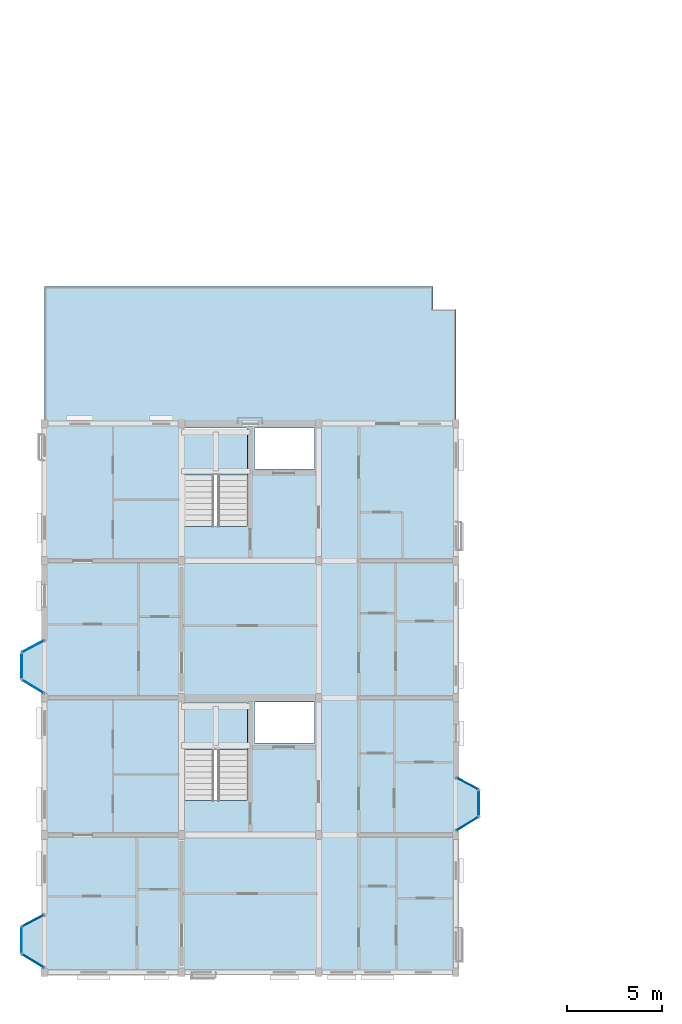
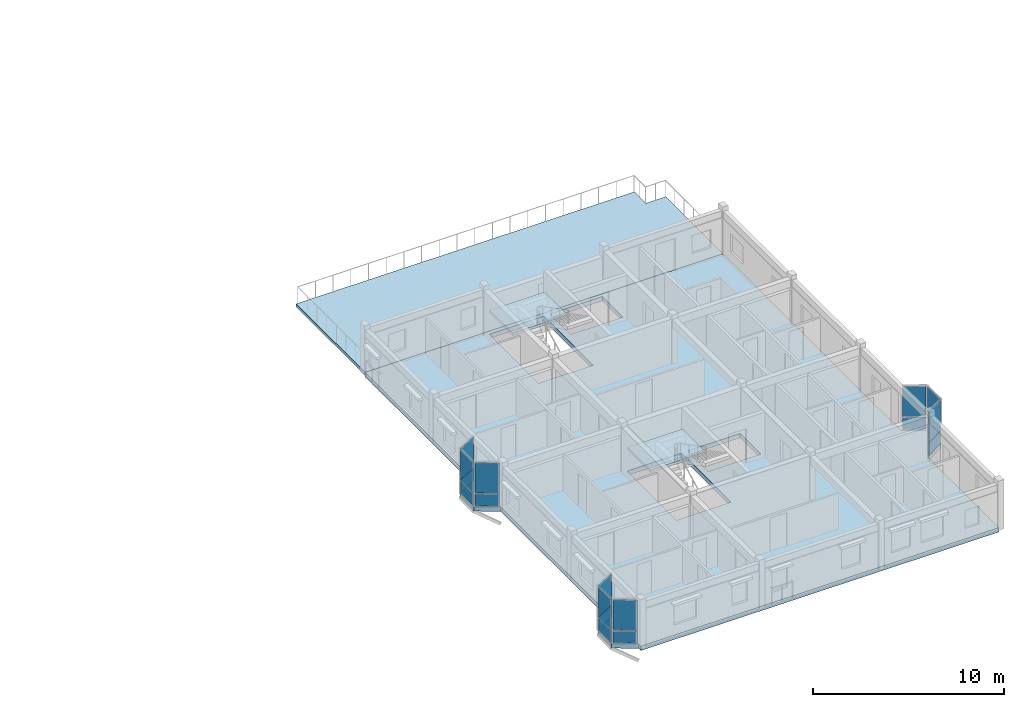
# One storey, part 14 of 22: 18 plates, 4 slabs, 11 elements without a shape of their own.
"""IFC4 building model written with IfcOpenShell, lengths in metres."""

from ifc_helpers import new_model, si_unit, direction, frame, origin, origin_2d, place, context, subcontext, project, spatial, polyline, rectangle, outline, extrude, material, layer, layer_set, type_object, element, aggregate, save


model = new_model("IFC4")

# Units and contexts
model_context = context("Model", 3, precision=1e-05, world=origin(), true_north=direction((0.0, 1.0)))
body_context = subcontext(model_context, "Body", "Model", "MODEL_VIEW")
ifc_project = project(units=[si_unit("LENGTHUNIT", "METRE"), si_unit("AREAUNIT", "SQUARE_METRE"), si_unit("VOLUMEUNIT", "CUBIC_METRE"), si_unit("PLANEANGLEUNIT", "RADIAN"), si_unit("MASSUNIT", "GRAM", prefix="KILO"), si_unit("THERMODYNAMICTEMPERATUREUNIT", "KELVIN"), si_unit("POWERUNIT", "WATT")], contexts=[model_context])

# Site, building, storey
site_placement = place(None, origin())
site = spatial("IfcSite", under=ifc_project, at=site_placement, CompositionType="ELEMENT")
building_placement = place(site_placement, origin())
building = spatial("IfcBuilding", under=site, at=building_placement, Name="Tavuni Mirador Residences", CompositionType="ELEMENT")
storey_placement = place(building_placement, frame((0.0, 0.0, 45.449951171875)))
storey = spatial("IfcBuildingStorey", under=building, at=storey_placement, Name="L14", CompositionType="ELEMENT", Elevation=45.449951171875)

# Curtain wall, plate
ifc_material_1 = material(Name="Anodised aluminium", Category="aluminium")
ifc_layer_1 = layer(ifc_material_1, 0.1650390625, Name="Anodised aluminium", Category="aluminium")
ifc_layer_set_1 = layer_set([ifc_layer_1], Name="Anodised aluminium")
curtain_wall_type_1 = type_object("IfcCurtainWallType", Name="CWT-MIR-A", PredefinedType="NOTDEFINED", material=ifc_layer_set_1)
curtain_wall_1_placement = place(storey_placement, origin())
curtain_wall_1 = element("IfcCurtainWall", 1, at=curtain_wall_1_placement, inside=storey, type_object=curtain_wall_type_1, Name="CW-MIR-A-EU-L14-MF", PredefinedType="NOTDEFINED")
ifc_material_2 = material(Name="Laminated solar-control glass", Category="glass")
ifc_layer_2 = layer(ifc_material_2, 0.02392578125, Name="Laminated solar-control glass", Category="glass")
ifc_layer_set_2 = layer_set([ifc_layer_2], Name="Laminated solar-control glass")
plate_type_1 = type_object("IfcPlateType", Name="CWP-GL24", PredefinedType="CURTAIN_PANEL", material=ifc_layer_set_2)
plate_1_placement = place(storey_placement, frame((26.39990234375, 16.070068359375, 0.8798828125), z_axis=(0.0, 0.0, 1.0), x_axis=(0.0, 1.0, 0.0)))
plate_1 = element("IfcPlate", 2, at=plate_1_placement, type_object=plate_type_1, Name="CW-01 panel 1.2", PredefinedType="CURTAIN_PANEL", context=body_context, shape_type="SweptSolid", body=[
    extrude(rectangle(XDim=1.300048828125, YDim=0.02392578125, at=origin_2d()), origin(), (0.0, 0.0, 1.0), 1.929931640625),
])

curtain_wall_2_placement = place(storey_placement, origin())
curtain_wall_2 = element("IfcCurtainWall", 3, at=curtain_wall_2_placement, inside=storey, type_object=curtain_wall_type_1, Name="CW-MIR-A-W2-L14-M2", PredefinedType="NOTDEFINED")
plate_2_placement = place(storey_placement, frame((3.0, 22.1923828125, 0.8798828125), z_axis=(0.0, 0.0, 1.0), x_axis=(0.852754414845, -0.522312079088, 0.0)))
plate_2 = element("IfcPlate", 4, at=plate_2_placement, type_object=plate_type_1, Name="CW-01 panel 1.2", PredefinedType="CURTAIN_PANEL", context=body_context, shape_type="SweptSolid", body=[
    extrude(rectangle(XDim=1.287109375, YDim=0.02392578125, at=origin_2d()), origin(), (0.0, 0.0, 1.0), 1.929931640625),
])

ifc_layer_3 = layer(ifc_material_1, 0.14990234375, Name="Anodised aluminium", Category="aluminium")
ifc_layer_set_3 = layer_set([ifc_layer_3], Name="Anodised aluminium")
curtain_wall_type_2 = type_object("IfcCurtainWallType", Name="CWT-MIR-B", PredefinedType="NOTDEFINED", material=ifc_layer_set_3)
curtain_wall_3_placement = place(storey_placement, origin())
curtain_wall_3 = element("IfcCurtainWall", 5, at=curtain_wall_3_placement, inside=storey, type_object=curtain_wall_type_2, Name="CW-MIR-A-EU-L14-M2", PredefinedType="NOTDEFINED")
ifc_layer_4 = layer(ifc_material_2, 0.028076171875, Name="Laminated solar-control glass", Category="glass")
ifc_layer_set_4 = layer_set([ifc_layer_4], Name="Laminated solar-control glass")
plate_type_2 = type_object("IfcPlateType", Name="CWP-GL28", PredefinedType="CURTAIN_PANEL", material=ifc_layer_set_4)
plate_3_placement = place(storey_placement, frame((25.800048828125, 17.10009765625, 0.88232421875), z_axis=(0.0, 0.0, 1.0), x_axis=(-0.882352941175, 0.470588235296, 0.0)))
plate_3 = element("IfcPlate", 6, at=plate_3_placement, type_object=plate_type_2, Name="CW-02 panel 1.2", PredefinedType="CURTAIN_PANEL", context=body_context, shape_type="SweptSolid", body=[
    extrude(rectangle(XDim=1.22998046875, YDim=0.028076171875, at=origin_2d()), origin(), (0.0, 0.0, 1.0), 1.922607421875),
])

curtain_wall_4_placement = place(storey_placement, origin())
curtain_wall_4 = element("IfcCurtainWall", 7, at=curtain_wall_4_placement, inside=storey, type_object=curtain_wall_type_2, Name="CW-MIR-A-W1-L14-M1", PredefinedType="NOTDEFINED")
plate_4_placement = place(storey_placement, frame((3.0, 9.89990234375, 0.88232421875), z_axis=(0.0, 0.0, 1.0), x_axis=(-0.882352941175, -0.470588235296, 0.0)))
plate_4 = element("IfcPlate", 8, at=plate_4_placement, type_object=plate_type_2, Name="CW-02 panel 1.2", PredefinedType="CURTAIN_PANEL", context=body_context, shape_type="SweptSolid", body=[
    extrude(rectangle(XDim=1.22998046875, YDim=0.028076171875, at=origin_2d()), origin(), (0.0, 0.0, 1.0), 1.922607421875),
])

ifc_layer_5 = layer(ifc_material_1, 0.175048828125, Name="Anodised aluminium", Category="aluminium")
ifc_layer_set_5 = layer_set([ifc_layer_5], Name="Anodised aluminium")
curtain_wall_type_3 = type_object("IfcCurtainWallType", Name="CWT-MIR-C", PredefinedType="NOTDEFINED", material=ifc_layer_set_5)
curtain_wall_5_placement = place(storey_placement, origin())
curtain_wall_5 = element("IfcCurtainWall", 9, at=curtain_wall_5_placement, inside=storey, type_object=curtain_wall_type_3, Name="CW-MIR-A-W2-L14-M1", PredefinedType="NOTDEFINED")
ifc_layer_6 = layer(ifc_material_2, 0.031982421875, Name="Laminated solar-control glass", Category="glass")
ifc_layer_set_6 = layer_set([ifc_layer_6], Name="Laminated solar-control glass")
plate_type_3 = type_object("IfcPlateType", Name="CWP-GL32", PredefinedType="CURTAIN_PANEL", material=ifc_layer_set_6)
plate_5_placement = place(storey_placement, frame((3.0, 24.300048828125, 0.8798828125), z_axis=(0.0, 0.0, 1.0), x_axis=(-0.882352941175, -0.470588235296, 0.0)))
plate_5 = element("IfcPlate", 10, at=plate_5_placement, type_object=plate_type_3, Name="CW-03 panel 1.2", PredefinedType="CURTAIN_PANEL", context=body_context, shape_type="SweptSolid", body=[
    extrude(rectangle(XDim=1.239990234375, YDim=0.031982421875, at=origin_2d()), origin(), (0.0, 0.0, 1.0), 1.929931640625),
])

curtain_wall_6_placement = place(storey_placement, origin())
curtain_wall_6 = element("IfcCurtainWall", 11, at=curtain_wall_6_placement, inside=storey, type_object=curtain_wall_type_3, Name="CW-MIR-A-W1-L14-MF", PredefinedType="NOTDEFINED")
plate_6_placement = place(storey_placement, frame((2.39990234375, 8.8701171875, 0.8798828125), z_axis=(0.0, 0.0, 1.0), x_axis=(0.0, -1.0, 0.0)))
plate_6 = element("IfcPlate", 12, at=plate_6_placement, type_object=plate_type_3, Name="CW-03 panel 1.2", PredefinedType="CURTAIN_PANEL", context=body_context, shape_type="SweptSolid", body=[
    extrude(rectangle(XDim=1.300048828125, YDim=0.031982421875, at=origin_2d()), origin(), (0.0, 0.0, 1.0), 1.929931640625),
])

ifc_layer_7 = layer(ifc_material_1, 0.159912109375, Name="Anodised aluminium", Category="aluminium")
ifc_layer_set_7 = layer_set([ifc_layer_7], Name="Anodised aluminium")
curtain_wall_type_4 = type_object("IfcCurtainWallType", Name="CWT-MIR-D", PredefinedType="NOTDEFINED", material=ifc_layer_set_7)
curtain_wall_7_placement = place(storey_placement, origin())
curtain_wall_7 = element("IfcCurtainWall", 13, at=curtain_wall_7_placement, inside=storey, type_object=curtain_wall_type_4, Name="CW-MIR-A-EU-L14-M1", PredefinedType="NOTDEFINED")
ifc_layer_8 = layer(ifc_material_2, 0.035888671875, Name="Laminated solar-control glass", Category="glass")
ifc_layer_set_8 = layer_set([ifc_layer_8], Name="Laminated solar-control glass")
plate_type_4 = type_object("IfcPlateType", Name="CWP-GL36", PredefinedType="CURTAIN_PANEL", material=ifc_layer_set_8)
plate_7_placement = place(storey_placement, frame((25.800048828125, 14.992431640625, 0.88232421875), z_axis=(0.0, 0.0, 1.0), x_axis=(0.852754414845, 0.522312079088, 0.0)))
plate_7 = element("IfcPlate", 14, at=plate_7_placement, type_object=plate_type_4, Name="CW-04 panel 1.2", PredefinedType="CURTAIN_PANEL", context=body_context, shape_type="SweptSolid", body=[
    extrude(rectangle(XDim=1.277099609375, YDim=0.035888671875, at=origin_2d()), origin(), (0.0, 0.0, 1.0), 1.922607421875),
])

curtain_wall_8_placement = place(storey_placement, origin())
curtain_wall_8 = element("IfcCurtainWall", 15, at=curtain_wall_8_placement, inside=storey, type_object=curtain_wall_type_4, Name="CW-MIR-A-W2-L14-MF", PredefinedType="NOTDEFINED")
plate_8_placement = place(storey_placement, frame((2.39990234375, 23.27001953125, 0.88232421875), z_axis=(0.0, 0.0, 1.0), x_axis=(0.0, -1.0, 0.0)))
plate_8 = element("IfcPlate", 16, at=plate_8_placement, type_object=plate_type_4, Name="CW-04 panel 1.2", PredefinedType="CURTAIN_PANEL", context=body_context, shape_type="SweptSolid", body=[
    extrude(rectangle(XDim=1.2900390625, YDim=0.035888671875, at=origin_2d()), origin(), (0.0, 0.0, 1.0), 1.922607421875),
])

curtain_wall_9_placement = place(storey_placement, origin())
curtain_wall_9 = element("IfcCurtainWall", 17, at=curtain_wall_9_placement, inside=storey, type_object=curtain_wall_type_4, Name="CW-MIR-A-W1-L14-M2", PredefinedType="NOTDEFINED")
plate_9_placement = place(storey_placement, frame((3.0, 7.79248046875, 0.88232421875), z_axis=(0.0, 0.0, 1.0), x_axis=(0.852754414845, -0.522312079088, 0.0)))
plate_9 = element("IfcPlate", 18, at=plate_9_placement, type_object=plate_type_4, Name="CW-04 panel 1.2", PredefinedType="CURTAIN_PANEL", context=body_context, shape_type="SweptSolid", body=[
    extrude(rectangle(XDim=1.277099609375, YDim=0.035888671875, at=origin_2d()), origin(), (0.0, 0.0, 1.0), 1.922607421875),
])

# Plate
ifc_material_3 = material(Name="Ceramic trencadis mosaic panel", Category="masonry")
ifc_layer_9 = layer(ifc_material_3, 0.0419921875, Name="Ceramic trencadis mosaic panel", Category="masonry")
ifc_layer_set_9 = layer_set([ifc_layer_9], Name="Ceramic trencadis mosaic panel")
plate_type_5 = type_object("IfcPlateType", Name="CWP-SP42", PredefinedType="CURTAIN_PANEL", material=ifc_layer_set_9)
plate_10_placement = place(storey_placement, frame((26.39990234375, 16.070068359375, 0.06005859375), z_axis=(0.0, 0.0, 1.0), x_axis=(0.0, 1.0, 0.0)))
plate_10 = element("IfcPlate", 19, at=plate_10_placement, type_object=plate_type_5, Name="CW-01 panel 1.1", PredefinedType="CURTAIN_PANEL", context=body_context, shape_type="SweptSolid", body=[
    extrude(rectangle(XDim=1.300048828125, YDim=0.0419921875, at=origin_2d()), origin(), (0.0, 0.0, 1.0), 0.760009765625),
])

aggregate(curtain_wall_1, [plate_10, plate_1])

plate_11_placement = place(storey_placement, frame((3.0, 24.300048828125, 0.06005859375), z_axis=(0.0, 0.0, 1.0), x_axis=(-0.882352941175, -0.470588235296, 0.0)))
plate_11 = element("IfcPlate", 20, at=plate_11_placement, type_object=plate_type_5, Name="CW-03 panel 1.1", PredefinedType="CURTAIN_PANEL", context=body_context, shape_type="SweptSolid", body=[
    extrude(rectangle(XDim=1.239990234375, YDim=0.0419921875, at=origin_2d()), origin(), (0.0, 0.0, 1.0), 0.760009765625),
])

aggregate(curtain_wall_5, [plate_11, plate_5])

plate_12_placement = place(storey_placement, frame((3.0, 22.1923828125, 0.06005859375), z_axis=(0.0, 0.0, 1.0), x_axis=(0.852754414845, -0.522312079088, 0.0)))
plate_12 = element("IfcPlate", 21, at=plate_12_placement, type_object=plate_type_5, Name="CW-01 panel 1.1", PredefinedType="CURTAIN_PANEL", context=body_context, shape_type="SweptSolid", body=[
    extrude(rectangle(XDim=1.287109375, YDim=0.0419921875, at=origin_2d()), origin(), (0.0, 0.0, 1.0), 0.760009765625),
])

aggregate(curtain_wall_2, [plate_12, plate_2])

plate_13_placement = place(storey_placement, frame((2.39990234375, 8.8701171875, 0.06005859375), z_axis=(0.0, 0.0, 1.0), x_axis=(0.0, -1.0, 0.0)))
plate_13 = element("IfcPlate", 22, at=plate_13_placement, type_object=plate_type_5, Name="CW-03 panel 1.1", PredefinedType="CURTAIN_PANEL", context=body_context, shape_type="SweptSolid", body=[
    extrude(rectangle(XDim=1.300048828125, YDim=0.0419921875, at=origin_2d()), origin(), (0.0, 0.0, 1.0), 0.760009765625),
])

aggregate(curtain_wall_6, [plate_13, plate_6])

ifc_layer_10 = layer(ifc_material_3, 0.048095703125, Name="Ceramic trencadis mosaic panel", Category="masonry")
ifc_layer_set_10 = layer_set([ifc_layer_10], Name="Ceramic trencadis mosaic panel")
plate_type_6 = type_object("IfcPlateType", Name="CWP-SP48", PredefinedType="CURTAIN_PANEL", material=ifc_layer_set_10)
plate_14_placement = place(storey_placement, frame((25.800048828125, 14.992431640625, 0.065185546875), z_axis=(0.0, 0.0, 1.0), x_axis=(0.852754414845, 0.522312079088, 0.0)))
plate_14 = element("IfcPlate", 23, at=plate_14_placement, type_object=plate_type_6, Name="CW-04 panel 1.1", PredefinedType="CURTAIN_PANEL", context=body_context, shape_type="SweptSolid", body=[
    extrude(rectangle(XDim=1.277099609375, YDim=0.048095703125, at=origin_2d()), origin(), (0.0, 0.0, 1.0), 0.75244140625),
])

aggregate(curtain_wall_7, [plate_14, plate_7])

plate_15_placement = place(storey_placement, frame((25.800048828125, 17.10009765625, 0.065185546875), z_axis=(0.0, 0.0, 1.0), x_axis=(-0.882352941175, 0.470588235296, 0.0)))
plate_15 = element("IfcPlate", 24, at=plate_15_placement, type_object=plate_type_6, Name="CW-02 panel 1.1", PredefinedType="CURTAIN_PANEL", context=body_context, shape_type="SweptSolid", body=[
    extrude(rectangle(XDim=1.22998046875, YDim=0.048095703125, at=origin_2d()), origin(), (0.0, 0.0, 1.0), 0.75244140625),
])

aggregate(curtain_wall_3, [plate_15, plate_3])

plate_16_placement = place(storey_placement, frame((2.39990234375, 23.27001953125, 0.065185546875), z_axis=(0.0, 0.0, 1.0), x_axis=(0.0, -1.0, 0.0)))
plate_16 = element("IfcPlate", 25, at=plate_16_placement, type_object=plate_type_6, Name="CW-04 panel 1.1", PredefinedType="CURTAIN_PANEL", context=body_context, shape_type="SweptSolid", body=[
    extrude(rectangle(XDim=1.2900390625, YDim=0.048095703125, at=origin_2d()), origin(), (0.0, 0.0, 1.0), 0.75244140625),
])

aggregate(curtain_wall_8, [plate_16, plate_8])

plate_17_placement = place(storey_placement, frame((3.0, 9.89990234375, 0.065185546875), z_axis=(0.0, 0.0, 1.0), x_axis=(-0.882352941175, -0.470588235296, 0.0)))
plate_17 = element("IfcPlate", 26, at=plate_17_placement, type_object=plate_type_6, Name="CW-02 panel 1.1", PredefinedType="CURTAIN_PANEL", context=body_context, shape_type="SweptSolid", body=[
    extrude(rectangle(XDim=1.22998046875, YDim=0.048095703125, at=origin_2d()), origin(), (0.0, 0.0, 1.0), 0.75244140625),
])

aggregate(curtain_wall_4, [plate_17, plate_4])

plate_18_placement = place(storey_placement, frame((3.0, 7.79248046875, 0.065185546875), z_axis=(0.0, 0.0, 1.0), x_axis=(0.852754414845, -0.522312079088, 0.0)))
plate_18 = element("IfcPlate", 27, at=plate_18_placement, type_object=plate_type_6, Name="CW-04 panel 1.1", PredefinedType="CURTAIN_PANEL", context=body_context, shape_type="SweptSolid", body=[
    extrude(rectangle(XDim=1.277099609375, YDim=0.048095703125, at=origin_2d()), origin(), (0.0, 0.0, 1.0), 0.75244140625),
])

aggregate(curtain_wall_9, [plate_18, plate_9])

# Slab
ifc_material_4 = material(Name="Prestressed concrete C45/55", Category="concrete")
ifc_layer_11 = layer(ifc_material_4, 0.280029296875, Name="Prestressed concrete C45/55", Category="concrete")
ifc_layer_set_11 = layer_set([ifc_layer_11], Name="Prestressed concrete C45/55")
slab_type_1 = type_object("IfcSlabType", Name="SLT-FLR280", PredefinedType="FLOOR", material=ifc_layer_set_11)
slab_1_placement = place(storey_placement, frame((0.0, 0.0, -0.280029296875)))
element("IfcSlab", 28, at=slab_1_placement, inside=storey, type_object=slab_type_1, Name="SLB-BLK-A-L14", PredefinedType="FLOOR", context=body_context, shape_type="SweptSolid", body=[
    extrude(outline(polyline([(3.60009765625, 7.199951171875), (25.199951171875, 7.199951171875), (25.199951171875, 14.625), (26.39990234375, 15.360107421875), (26.39990234375, 16.780029296875), (25.199951171875, 17.419921875), (25.199951171875, 36.0), (3.60009765625, 36.0), (3.60009765625, 24.6201171875), (2.39990234375, 23.97998046875), (2.39990234375, 22.56005859375), (3.60009765625, 21.824951171875), (3.60009765625, 10.219970703125), (2.39990234375, 9.580078125), (2.39990234375, 8.159912109375), (3.60009765625, 7.425048828125), (3.60009765625, 7.199951171875)]), holes=[polyline([(10.9599609375, 16.2080078125), (14.239990234375, 16.2080078125), (14.239990234375, 21.360107421875), (10.9599609375, 21.360107421875), (10.9599609375, 16.2080078125)]), polyline([(14.6201171875, 19.219970703125), (17.780029296875, 19.219970703125), (17.780029296875, 21.3798828125), (14.6201171875, 21.3798828125), (14.6201171875, 19.219970703125)]), polyline([(10.9599609375, 30.60791015625), (14.239990234375, 30.60791015625), (14.239990234375, 35.760009765625), (10.9599609375, 35.760009765625), (10.9599609375, 30.60791015625)]), polyline([(14.6201171875, 33.6201171875), (17.780029296875, 33.6201171875), (17.780029296875, 35.780029296875), (14.6201171875, 35.780029296875), (14.6201171875, 33.6201171875)])]), origin(), (0.0, 0.0, 1.0), 0.280029296875),
])

# Stair, slab
ifc_material_5 = material(Name="Precast concrete C40/50", Category="concrete")
stair_type = type_object("IfcStairType", Name="STT-TYP", PredefinedType="HALF_TURN_STAIR", material=ifc_material_5)
stair_1_placement = place(storey_placement, origin())
stair_1 = element("IfcStair", 29, at=stair_1_placement, inside=storey, type_object=stair_type, Name="Protected exit stair ST1 (L14)", PredefinedType="HALF_TURN_STAIR")
ifc_layer_12 = layer(ifc_material_5, 0.179931640625, Name="Precast concrete C40/50", Category="concrete")
ifc_layer_set_12 = layer_set([ifc_layer_12], Name="Precast concrete C40/50")
slab_type_2 = type_object("IfcSlabType", Name="SLT-LND180", PredefinedType="LANDING", material=ifc_layer_set_12)
slab_2_placement = place(storey_placement, frame((0.0, 0.0, 1.39501953125)))
slab_2 = element("IfcSlab", 30, at=slab_2_placement, type_object=slab_type_2, Name="ST1 landing 1", PredefinedType="LANDING", context=body_context, shape_type="SweptSolid", body=[
    extrude(outline(polyline([(10.93994140625, 18.89208984375), (14.260009765625, 18.89208984375), (14.260009765625, 21.300048828125), (10.93994140625, 21.300048828125), (10.93994140625, 18.89208984375)])), origin(), (0.0, 0.0, 1.0), 0.179931640625),
])
aggregate(stair_1, [slab_2])

stair_2_placement = place(storey_placement, origin())
stair_2 = element("IfcStair", 31, at=stair_2_placement, inside=storey, type_object=stair_type, Name="Protected exit stair ST2 (L14)", PredefinedType="HALF_TURN_STAIR")
slab_3_placement = place(storey_placement, frame((0.0, 0.0, 1.39501953125)))
slab_3 = element("IfcSlab", 32, at=slab_3_placement, type_object=slab_type_2, Name="ST2 landing 1", PredefinedType="LANDING", context=body_context, shape_type="SweptSolid", body=[
    extrude(outline(polyline([(10.93994140625, 33.2919921875), (14.260009765625, 33.2919921875), (14.260009765625, 35.699951171875), (10.93994140625, 35.699951171875), (10.93994140625, 33.2919921875)])), origin(), (0.0, 0.0, 1.0), 0.179931640625),
])
aggregate(stair_2, [slab_3])

# Slab
ifc_layer_13 = layer(ifc_material_4, 0.18994140625, Name="Prestressed concrete C45/55", Category="concrete")
ifc_layer_set_13 = layer_set([ifc_layer_13], Name="Prestressed concrete C45/55")
slab_type_3 = type_object("IfcSlabType", Name="SLT-TER190", PredefinedType="FLOOR", material=ifc_layer_set_13)
slab_4_placement = place(storey_placement, frame((0.0, 0.0, -0.18994140625)))
element("IfcSlab", 33, at=slab_4_placement, inside=storey, type_object=slab_type_3, Name="Roof terrace TER-A-L14", PredefinedType="FLOOR", context=body_context, shape_type="SweptSolid", body=[
    extrude(outline(polyline([(3.60009765625, 36.0), (25.199951171875, 36.0), (25.199951171875, 42.0), (24.0, 42.0), (24.0, 43.199951171875), (3.60009765625, 43.199951171875), (3.60009765625, 36.0)])), origin(), (0.0, 0.0, 1.0), 0.18994140625),
])

save(model, "model.ifc")
